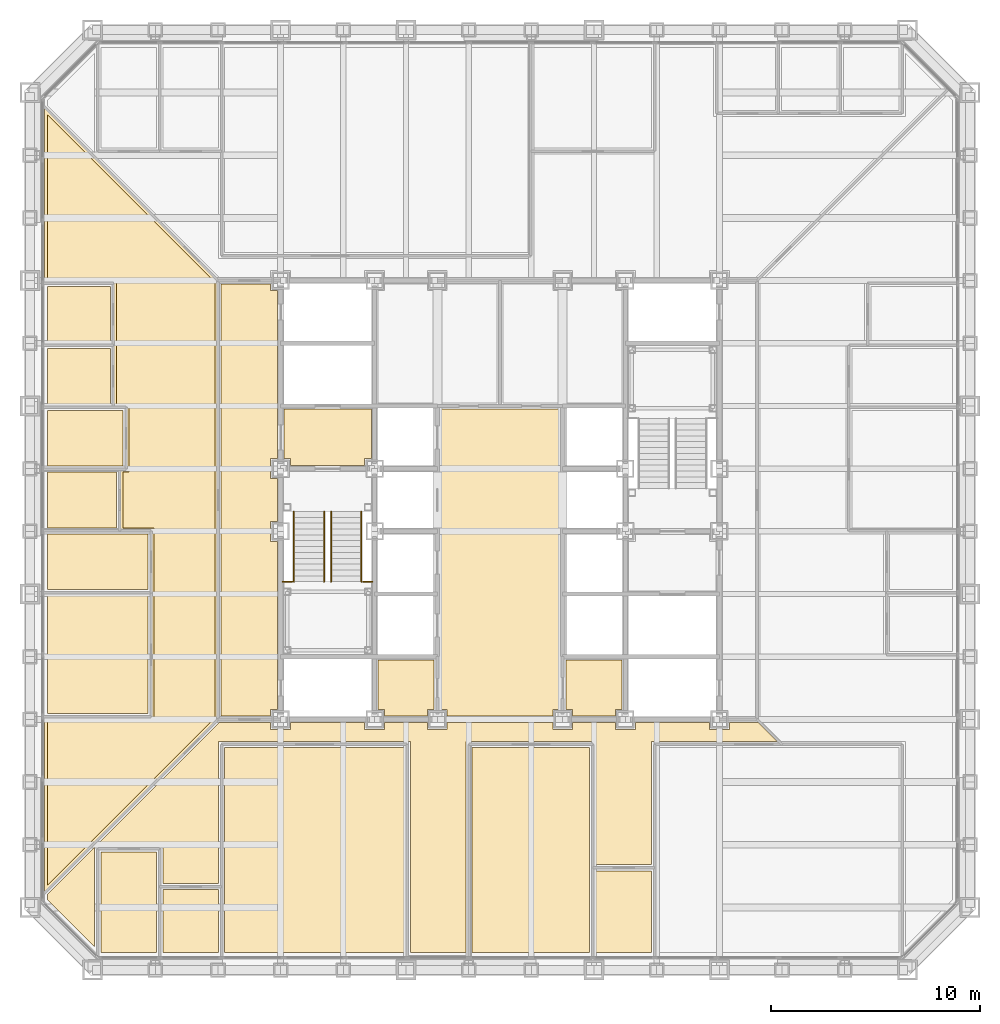
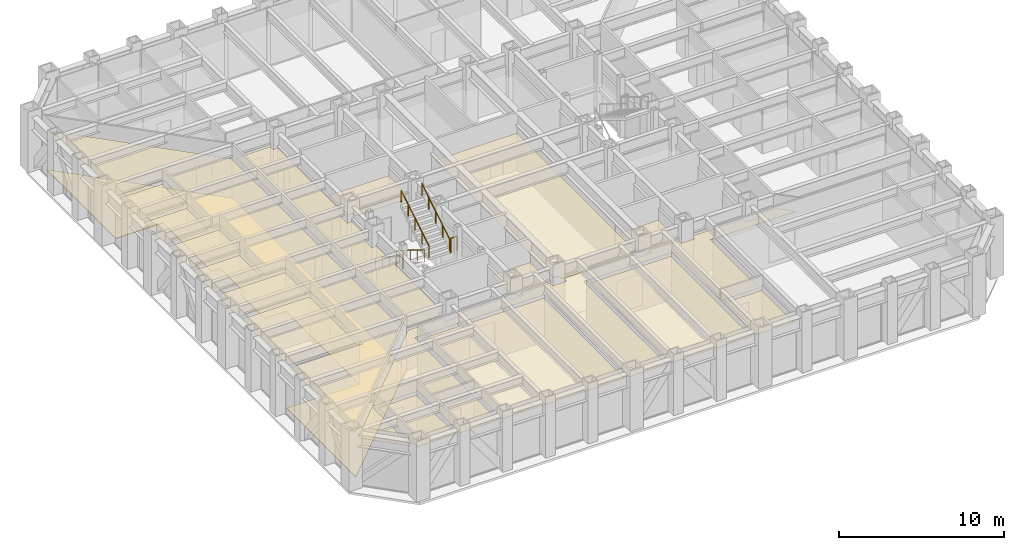
# One storey, part 14 of 17: 20 coverings, 6 railings.
"""IFC4 building model written with IfcOpenShell, lengths in metres."""

import ifcopenshell
import ifcopenshell.guid

model = None  # the IFC model being written
_history = None  # IfcOwnerHistory: only IFC2X3 demands one
_inside = {}  # id of a spatial element -> (the spatial element, [elements in it])
_under = {}  # id of a project, library or spatial element -> (it, [spatial elements below it])
_declared = {}  # id of a project -> (the project, [libraries it declares])
_typed = {}  # id of a type object -> (the type object, [elements of that type])
_made_of = {}  # id of a material, layer set ... -> (it, [elements and type objects made of it])


def new_model(schema):
    """Start an empty IFC model of exactly this schema.

    Asked for "IFC4X3", IfcOpenShell would pick the latest addendum, in which some entities
    have other attributes; the version numbers below select the first issue.
    IFC2X3 requires an IfcOwnerHistory on every rooted entity: one is made here for all.
    """
    global model, _history
    if schema == "IFC4X3":
        model = ifcopenshell.file(schema_version=(4, 3, 0, 0))
    else:
        model = ifcopenshell.file(schema=schema)
    _inside.clear()
    _under.clear()
    _declared.clear()
    _typed.clear()
    _made_of.clear()
    _history = None
    if model.schema == "IFC2X3":
        org = make("IfcOrganization", Name="unknown")
        user = make(
            "IfcPersonAndOrganization",
            ThePerson=make("IfcPerson", FamilyName="unknown"),
            TheOrganization=org,
        )
        app = make(
            "IfcApplication",
            ApplicationDeveloper=org,
            Version="unknown",
            ApplicationFullName="unknown",
            ApplicationIdentifier="unknown",
        )
        _history = make(
            "IfcOwnerHistory",
            OwningUser=user,
            OwningApplication=app,
            ChangeAction="ADDED",
            CreationDate=0,
        )
    return model


def make(cls, **values):
    """One entity of the class cls with the attributes given. An attribute that is None is left unset."""
    return model.create_entity(
        cls, **{name: value for name, value in values.items() if value is not None}
    )


def rooted(cls, **values):
    """An entity with a GlobalId (a new one), such as an element, a storey or a relation."""
    return make(cls, GlobalId=ifcopenshell.guid.new(), OwnerHistory=_history, **values)


def si_unit(unit_type, name, prefix=None):
    """IfcSIUnit, for example si_unit("LENGTHUNIT", "METRE", prefix="MILLI")."""
    return make("IfcSIUnit", UnitType=unit_type, Prefix=prefix, Name=name)


def assignment(units):
    """IfcUnitAssignment: the units of a project."""
    return None if units is None else make("IfcUnitAssignment", Units=units)


def point(xyz):
    """IfcCartesianPoint."""
    return None if xyz is None else make("IfcCartesianPoint", Coordinates=xyz)


def direction(xyz):
    """IfcDirection."""
    return None if xyz is None else make("IfcDirection", DirectionRatios=xyz)


def frame(location, z_axis=None, x_axis=None):
    """IfcAxis2Placement3D, a coordinate frame: its origin and axes. An axis left out is left unset."""
    return make(
        "IfcAxis2Placement3D",
        Location=point(location),
        Axis=direction(z_axis),
        RefDirection=direction(x_axis),
    )


def frame_2d(location, x_axis=None):
    """IfcAxis2Placement2D, a coordinate frame in the plane: its origin and x axis."""
    return make(
        "IfcAxis2Placement2D", Location=point(location), RefDirection=direction(x_axis)
    )


def origin():
    """The frame at (0, 0, 0) with its axes left unset."""
    return frame((0.0, 0.0, 0.0))


def origin_2d():
    """The frame at (0, 0) in the plane with its x axis left unset."""
    return frame_2d((0.0, 0.0))


def place(relative_to, where):
    """IfcLocalPlacement: puts the frame where relative to a parent placement (None: the world)."""
    return make(
        "IfcLocalPlacement", PlacementRelTo=relative_to, RelativePlacement=where
    )


def context(
    kind, dimensions, precision=None, world=None, true_north=None, identifier=None
):
    """IfcGeometricRepresentationContext, for example the 3D "Model" context."""
    return make(
        "IfcGeometricRepresentationContext",
        ContextIdentifier=identifier,
        ContextType=kind,
        CoordinateSpaceDimension=dimensions,
        Precision=precision,
        WorldCoordinateSystem=world,
        TrueNorth=true_north,
    )


def subcontext(parent, identifier, kind, view, scale=None):
    """IfcGeometricRepresentationSubContext, for example "Body" below "Model"."""
    return make(
        "IfcGeometricRepresentationSubContext",
        ContextIdentifier=identifier,
        ContextType=kind,
        ParentContext=parent,
        TargetScale=scale,
        TargetView=view,
    )


def project(units=None, contexts=None):
    """IfcProject with its units and contexts."""
    return rooted(
        "IfcProject",
        Name="project",
        RepresentationContexts=contexts,
        UnitsInContext=assignment(units),
    )


def spatial(cls, under=None, at=None, **own):
    """A site, building, storey or space (cls), placed at a placement, below another one or the project."""
    s = rooted(cls, ObjectPlacement=at, **own)
    if under is not None:
        _under.setdefault(under.id(), (under, []))[1].append(s)
    return s


def polyline(points):
    """IfcPolyline through the points."""
    return make("IfcPolyline", Points=[point(p) for p in points])


def profile(cls, at=None, kind="AREA", **sizes):
    """A parametric profile (cls). Its sizes go by their IFC names, for example OverallWidth=200.0."""
    return make(cls, ProfileType=kind, Position=at, **sizes)


def circle(**sizes):
    """IfcCircleProfileDef."""
    return profile("IfcCircleProfileDef", **sizes)


def outline(outer, holes=None, kind="AREA"):
    """IfcArbitraryClosedProfileDef: a profile drawn as a closed curve; with holes, ...WithVoids."""
    if holes is None:
        return make("IfcArbitraryClosedProfileDef", ProfileType=kind, OuterCurve=outer)
    return make(
        "IfcArbitraryProfileDefWithVoids",
        ProfileType=kind,
        OuterCurve=outer,
        InnerCurves=holes,
    )


def extrude(swept, where, along, depth):
    """IfcExtrudedAreaSolid: the profile swept, set in the frame where, extruded along a direction by depth."""
    return make(
        "IfcExtrudedAreaSolid",
        SweptArea=swept,
        Position=where,
        ExtrudedDirection=direction(along),
        Depth=depth,
    )


def shape(context_of_items, identifier, shape_type, items):
    """IfcShapeRepresentation: the items that make up one representation, for example the "Body"."""
    return make(
        "IfcShapeRepresentation",
        ContextOfItems=context_of_items,
        RepresentationIdentifier=identifier,
        RepresentationType=shape_type,
        Items=items,
    )


def material(Name=None, Category=None):
    """IfcMaterial."""
    return make("IfcMaterial", Name=Name, Category=Category)


def layer(
    of_material, thickness, ventilated=None, Name=None, Category=None, Priority=None
):
    """IfcMaterialLayer: one layer of a wall or slab, of a material (None: an air gap)."""
    return make(
        "IfcMaterialLayer",
        Material=of_material,
        LayerThickness=thickness,
        IsVentilated=ventilated,
        Name=Name,
        Category=Category,
        Priority=Priority,
    )


def layer_set(layers, Name=None):
    """IfcMaterialLayerSet."""
    return make("IfcMaterialLayerSet", MaterialLayers=layers, LayerSetName=Name)


def made_of(thing, what):
    """Note that an element or type object is made of a material, layer set ...; save() writes the relation."""
    if what is not None:
        _made_of.setdefault(what.id(), (what, []))[1].append(thing)
    return thing


def type_object(cls, material=None, **own):
    """A type object (cls), such as IfcWallType, which elements share."""
    return made_of(rooted(cls, **own), material)


def element(
    cls,
    number,
    at=None,
    inside=None,
    cuts=None,
    type_object=None,
    material=None,
    context=None,
    identifier="Body",
    shape_type=None,
    held_by="IfcProductDefinitionShape",
    body=None,
    shapes=None,
    **own,
):
    """One element of the class cls, such as IfcWall. Its Tag is "e" and its number.

    at: its placement. inside: the storey or other place that contains it. cuts: it is an
    opening in that element (IfcRelVoidsElement). A single representation is given by context,
    identifier, shape_type and body (its items); several are given by shapes. held_by: the class
    of the entity that holds the representations. save() writes the other relations.
    """
    e = rooted(cls, Tag="e%d" % number, ObjectPlacement=at, **own)
    if body is not None:
        shapes = [shape(context, identifier, shape_type, body)]
    if shapes is not None:
        e.Representation = make(held_by, Representations=shapes)
    if inside is not None:
        _inside.setdefault(inside.id(), (inside, []))[1].append(e)
    if cuts is not None:
        rooted(
            "IfcRelVoidsElement", RelatingBuildingElement=cuts, RelatedOpeningElement=e
        )
    if type_object is not None:
        _typed.setdefault(type_object.id(), (type_object, []))[1].append(e)
    return made_of(e, material)


def aggregate(whole, parts):
    """IfcRelAggregates: a whole, such as a stair, and the parts it consists of."""
    return rooted("IfcRelAggregates", RelatingObject=whole, RelatedObjects=parts)


def save(model, path):
    """Write the relations noted so far, then the file.

    IfcRelAggregates (storeys below a building ...), IfcRelContainedInSpatialStructure (elements
    in a storey), IfcRelDefinesByType, IfcRelAssociatesMaterial and IfcRelDeclares: one each for
    every whole, place, type object, material and project.
    """
    for whole, parts in _under.values():
        aggregate(whole, parts)
    for where, things in _inside.values():
        rooted(
            "IfcRelContainedInSpatialStructure",
            RelatedElements=things,
            RelatingStructure=where,
        )
    for kind, things in _typed.values():
        rooted("IfcRelDefinesByType", RelatedObjects=things, RelatingType=kind)
    for what, things in _made_of.values():
        rooted("IfcRelAssociatesMaterial", RelatedObjects=things, RelatingMaterial=what)
    for by, libraries in _declared.values():
        rooted("IfcRelDeclares", RelatingContext=by, RelatedDefinitions=libraries)
    model.write(path)


model = new_model("IFC4")

# Units and contexts
model_context = context("Model", 3, precision=1e-05, world=origin(), true_north=direction((0.0, 1.0)))
body_context = subcontext(model_context, "Body", "Model", "MODEL_VIEW")
ifc_project = project(units=[si_unit("LENGTHUNIT", "METRE"), si_unit("AREAUNIT", "SQUARE_METRE"), si_unit("VOLUMEUNIT", "CUBIC_METRE"), si_unit("PLANEANGLEUNIT", "RADIAN"), si_unit("MASSUNIT", "GRAM", prefix="KILO")], contexts=[model_context])

# Site, building, storey
site_placement = place(None, origin())
site = spatial("IfcSite", under=ifc_project, at=site_placement, CompositionType="ELEMENT")
building_placement = place(site_placement, origin())
building = spatial("IfcBuilding", under=site, at=building_placement, Name="Chuquiago Exchange Tower", CompositionType="ELEMENT")
storey_placement = place(building_placement, frame((0.0, 0.0, 69.300048828125)))
storey = spatial("IfcBuildingStorey", under=building, at=storey_placement, Name="L14", CompositionType="ELEMENT", Elevation=69.300048828125)

# Coverings
ifc_material_1 = material(Name="Mineral fibre tile, 600 x 600, on pale metal grid", Category="mineral fibre")
ifc_layer_1 = layer(ifc_material_1, 0.02001953125)
ifc_layer_set_1 = layer_set([ifc_layer_1], Name="CL1 suspended tile ceiling 20")
covering_type_1 = type_object("IfcCoveringType", Name="CL1 suspended tile ceiling 20", PredefinedType="CEILING", material=ifc_layer_set_1)
covering_1_placement = place(storey_placement, frame((0.0, 0.0, 3.0)))
element("IfcCovering", 1, at=covering_1_placement, inside=storey, type_object=covering_type_1, Name="Ceiling Office", PredefinedType="CEILING", context=body_context, shape_type="SweptSolid", body=[
    extrude(outline(polyline([(3.3984375, 5.64990234375), (6.060302734375, 5.64990234375), (6.060302734375, 0.85009765625), (3.3984375, 0.85009765625), (3.3984375, 5.64990234375)])), origin(), (0.0, 0.0, 1.0), 0.02001953125),
])
covering_2_placement = place(storey_placement, frame((0.0, 0.0, 3.0)))
element("IfcCovering", 2, at=covering_2_placement, inside=storey, type_object=covering_type_1, Name="Ceiling Focus room", PredefinedType="CEILING", context=body_context, shape_type="SweptSolid", body=[
    extrude(outline(polyline([(6.3603515625, 3.85009765625), (9.022216796875, 3.85009765625), (9.022216796875, 0.85009765625), (6.3603515625, 0.85009765625), (6.3603515625, 3.85009765625)])), origin(), (0.0, 0.0, 1.0), 0.02001953125),
])
covering_3_placement = place(storey_placement, frame((0.0, 0.0, 3.0)))
element("IfcCovering", 3, at=covering_3_placement, inside=storey, type_object=covering_type_1, Name="Ceiling Trading room", PredefinedType="CEILING", context=body_context, shape_type="SweptSolid", body=[
    extrude(outline(polyline([(9.322021484375, 10.64990234375), (17.907470703125, 10.64990234375), (17.907470703125, 0.85009765625), (9.322021484375, 0.85009765625), (9.322021484375, 10.64990234375)])), origin(), (0.0, 0.0, 1.0), 0.02001953125),
])
covering_4_placement = place(storey_placement, frame((0.0, 0.0, 3.0)))
element("IfcCovering", 4, at=covering_4_placement, inside=storey, type_object=covering_type_1, Name="Ceiling Trading room", PredefinedType="CEILING", context=body_context, shape_type="SweptSolid", body=[
    extrude(outline(polyline([(21.169189453125, 10.64990234375), (26.79248046875, 10.64990234375), (26.79248046875, 0.85009765625), (21.169189453125, 0.85009765625), (21.169189453125, 10.64990234375)])), origin(), (0.0, 0.0, 1.0), 0.02001953125),
])
covering_5_placement = place(storey_placement, frame((0.0, 0.0, 3.0)))
element("IfcCovering", 5, at=covering_5_placement, inside=storey, type_object=covering_type_1, Name="Ceiling Comms room", PredefinedType="CEILING", context=body_context, shape_type="SweptSolid", body=[
    extrude(outline(polyline([(27.092529296875, 4.75), (29.75439453125, 4.75), (29.75439453125, 0.85009765625), (27.092529296875, 0.85009765625), (27.092529296875, 4.75)])), origin(), (0.0, 0.0, 1.0), 0.02001953125),
])
covering_6_placement = place(storey_placement, frame((0.0, 0.0, 3.0)))
element("IfcCovering", 6, at=covering_6_placement, inside=storey, type_object=covering_type_1, Name="Ceiling Meeting room", PredefinedType="CEILING", context=body_context, shape_type="SweptSolid", body=[
    extrude(outline(polyline([(5.64990234375, 17.907470703125), (5.64990234375, 12.28369140625), (0.85009765625, 12.28369140625), (0.85009765625, 17.907470703125), (5.64990234375, 17.907470703125)])), origin(), (0.0, 0.0, 1.0), 0.02001953125),
])
covering_7_placement = place(storey_placement, frame((0.0, 0.0, 3.0)))
element("IfcCovering", 7, at=covering_7_placement, inside=storey, type_object=covering_type_1, Name="Ceiling Office", PredefinedType="CEILING", context=body_context, shape_type="SweptSolid", body=[
    extrude(outline(polyline([(5.64990234375, 20.869140625), (5.64990234375, 18.20751953125), (0.85009765625, 18.20751953125), (0.85009765625, 20.869140625), (5.64990234375, 20.869140625)])), origin(), (0.0, 0.0, 1.0), 0.02001953125),
])
covering_8_placement = place(storey_placement, frame((0.0, 0.0, 3.0)))
element("IfcCovering", 8, at=covering_8_placement, inside=storey, type_object=covering_type_1, Name="Ceiling Store", PredefinedType="CEILING", context=body_context, shape_type="SweptSolid", body=[
    extrude(outline(polyline([(4.14990234375, 23.830810546875), (4.14990234375, 21.169189453125), (0.85009765625, 21.169189453125), (0.85009765625, 23.830810546875), (4.14990234375, 23.830810546875)])), origin(), (0.0, 0.0, 1.0), 0.02001953125),
])
covering_9_placement = place(storey_placement, frame((0.0, 0.0, 3.0)))
element("IfcCovering", 9, at=covering_9_placement, inside=storey, type_object=covering_type_1, Name="Ceiling Pantry", PredefinedType="CEILING", context=body_context, shape_type="SweptSolid", body=[
    extrude(outline(polyline([(4.449951171875, 26.79248046875), (4.449951171875, 24.130859375), (0.85009765625, 24.130859375), (0.85009765625, 26.79248046875), (4.449951171875, 26.79248046875)])), origin(), (0.0, 0.0, 1.0), 0.02001953125),
])
covering_10_placement = place(storey_placement, frame((0.0, 0.0, 3.0)))
element("IfcCovering", 10, at=covering_10_placement, inside=storey, type_object=covering_type_1, Name="Ceiling Focus room", PredefinedType="CEILING", context=body_context, shape_type="SweptSolid", body=[
    extrude(outline(polyline([(3.85009765625, 29.75439453125), (3.85009765625, 27.092529296875), (0.85009765625, 27.092529296875), (0.85009765625, 29.75439453125), (3.85009765625, 29.75439453125)])), origin(), (0.0, 0.0, 1.0), 0.02001953125),
])
covering_11_placement = place(storey_placement, frame((0.0, 0.0, 3.0)))
element("IfcCovering", 11, at=covering_11_placement, inside=storey, type_object=covering_type_1, Name="Ceiling Focus room", PredefinedType="CEILING", context=body_context, shape_type="SweptSolid", body=[
    extrude(outline(polyline([(3.85009765625, 32.71630859375), (3.85009765625, 30.054443359375), (0.85009765625, 30.054443359375), (0.85009765625, 32.71630859375), (3.85009765625, 32.71630859375)])), origin(), (0.0, 0.0, 1.0), 0.02001953125),
])
covering_12_placement = place(storey_placement, frame((0.0, 0.0, 3.0)))
element("IfcCovering", 12, at=covering_12_placement, inside=storey, type_object=covering_type_1, Name="Ceiling Circulation corridor", PredefinedType="CEILING", context=body_context, shape_type="SweptSolid", body=[
    extrude(outline(polyline([(9.14990234375, 12.14990234375), (9.14990234375, 32.85009765625), (11.52490234375, 32.85009765625), (11.52490234375, 32.52490234375), (11.85009765625, 32.52490234375), (11.85009765625, 24.47509765625), (11.52490234375, 24.47509765625), (11.52490234375, 23.52490234375), (11.85009765625, 23.52490234375), (11.85009765625, 21.47509765625), (11.52490234375, 21.47509765625), (11.52490234375, 20.52490234375), (11.85009765625, 20.52490234375), (11.85009765625, 12.47509765625), (11.52490234375, 12.47509765625), (11.52490234375, 12.14990234375), (9.14990234375, 12.14990234375)])), origin(), (0.0, 0.0, 1.0), 0.02001953125),
])
covering_13_placement = place(storey_placement, frame((0.0, 0.0, 3.0)))
element("IfcCovering", 13, at=covering_13_placement, inside=storey, type_object=covering_type_1, Name="Ceiling Trading floor east", PredefinedType="CEILING", context=body_context, shape_type="SweptSolid", body=[
    extrude(outline(polyline([(9.0625, 11.85009765625), (11.52490234375, 11.85009765625), (11.52490234375, 11.52490234375), (12.47509765625, 11.52490234375), (12.47509765625, 11.85009765625), (16.02490234375, 11.85009765625), (16.02490234375, 11.52490234375), (16.97509765625, 11.52490234375), (16.97509765625, 11.85009765625), (19.02490234375, 11.85009765625), (19.02490234375, 11.52490234375), (19.97509765625, 11.52490234375), (19.97509765625, 11.85009765625), (25.02490234375, 11.85009765625), (25.02490234375, 11.52490234375), (25.97509765625, 11.52490234375), (25.97509765625, 11.85009765625), (28.02490234375, 11.85009765625), (28.02490234375, 11.52490234375), (28.97509765625, 11.52490234375), (28.97509765625, 11.85009765625), (32.52490234375, 11.85009765625), (32.52490234375, 11.52490234375), (33.47509765625, 11.52490234375), (33.47509765625, 11.85009765625), (34.85107421875, 11.85009765625), (35.7509765625, 10.949951171875), (29.75439453125, 10.949951171875), (29.75439453125, 5.050048828125), (27.092529296875, 5.050048828125), (27.092529296875, 10.949951171875), (20.869140625, 10.949951171875), (20.869140625, 0.85009765625), (18.20751953125, 0.85009765625), (18.20751953125, 10.949951171875), (9.022216796875, 10.949951171875), (9.022216796875, 4.14990234375), (6.3603515625, 4.14990234375), (6.3603515625, 5.949951171875), (3.162841796875, 5.949951171875), (9.0625, 11.85009765625)])), origin(), (0.0, 0.0, 1.0), 0.02001953125),
])
covering_14_placement = place(storey_placement, frame((0.0, 0.0, 3.0)))
element("IfcCovering", 14, at=covering_14_placement, inside=storey, type_object=covering_type_1, Name="Ceiling Trading floor east", PredefinedType="CEILING", context=body_context, shape_type="SweptSolid", body=[
    extrude(outline(polyline([(3.098388671875, 1.103515625), (0.85009765625, 3.35205078125), (0.85009765625, 3.63720703125), (3.098388671875, 5.8857421875), (3.098388671875, 1.103515625)])), origin(), (0.0, 0.0, 1.0), 0.02001953125),
])
covering_15_placement = place(storey_placement, frame((0.0, 0.0, 3.0)))
element("IfcCovering", 15, at=covering_15_placement, inside=storey, type_object=covering_type_1, Name="Ceiling Trading floor west", PredefinedType="CEILING", context=body_context, shape_type="SweptSolid", body=[
    extrude(outline(polyline([(5.949951171875, 21.169189453125), (4.449951171875, 21.169189453125), (4.449951171875, 23.830810546875), (4.75, 23.830810546875), (4.75, 27.092529296875), (4.14990234375, 27.092529296875), (4.14990234375, 33.01611328125), (0.85009765625, 33.01611328125), (0.85009765625, 40.937255859375), (8.85009765625, 32.9375), (8.85009765625, 12.0625), (0.85009765625, 4.062744140625), (0.85009765625, 11.98388671875), (5.949951171875, 11.98388671875), (5.949951171875, 21.169189453125)])), origin(), (0.0, 0.0, 1.0), 0.02001953125),
])
ifc_material_2 = material(Name="Moisture resistant plasterboard on metal frame", Category="gypsum")
ifc_layer_2 = layer(ifc_material_2, 0.014892578125)
ifc_layer_set_2 = layer_set([ifc_layer_2], Name="CL2 moisture resistant ceiling 15")
covering_type_2 = type_object("IfcCoveringType", Name="CL2 moisture resistant ceiling 15", PredefinedType="CEILING", material=ifc_layer_set_2)
covering_16_placement = place(storey_placement, frame((0.0, 0.0, 2.599853515625)))
element("IfcCovering", 16, at=covering_16_placement, inside=storey, type_object=covering_type_2, Name="Ceiling Accessible WC", PredefinedType="CEILING", context=body_context, shape_type="SweptSolid", body=[
    extrude(outline(polyline([(25.97509765625, 12.14990234375), (25.97509765625, 12.47509765625), (25.64990234375, 12.47509765625), (25.64990234375, 14.85009765625), (28.35009765625, 14.85009765625), (28.35009765625, 12.47509765625), (28.02490234375, 12.47509765625), (28.02490234375, 12.14990234375), (25.97509765625, 12.14990234375)])), origin(), (0.0, 0.0, 1.0), 0.01513671875),
])
covering_17_placement = place(storey_placement, frame((0.0, 0.0, 2.599853515625)))
element("IfcCovering", 17, at=covering_17_placement, inside=storey, type_object=covering_type_2, Name="Ceiling Cleaner", PredefinedType="CEILING", context=body_context, shape_type="SweptSolid", body=[
    extrude(outline(polyline([(16.97509765625, 12.14990234375), (16.97509765625, 12.47509765625), (16.64990234375, 12.47509765625), (16.64990234375, 14.85009765625), (19.35009765625, 14.85009765625), (19.35009765625, 12.47509765625), (19.02490234375, 12.47509765625), (19.02490234375, 12.14990234375), (16.97509765625, 12.14990234375)])), origin(), (0.0, 0.0, 1.0), 0.01513671875),
])
ifc_material_3 = material(Name="Pale metal plank ceiling, perforated", Category="aluminium")
ifc_layer_3 = layer(ifc_material_3, 0.030029296875)
ifc_layer_set_3 = layer_set([ifc_layer_3], Name="CL3 metal plank ceiling 30")
covering_type_3 = type_object("IfcCoveringType", Name="CL3 metal plank ceiling 30", PredefinedType="CEILING", material=ifc_layer_set_3)
covering_18_placement = place(storey_placement, frame((0.0, 0.0, 2.800048828125)))
element("IfcCovering", 18, at=covering_18_placement, inside=storey, type_object=covering_type_3, Name="Ceiling Lift lobby", PredefinedType="CEILING", context=body_context, shape_type="SweptSolid", body=[
    extrude(outline(polyline([(19.97509765625, 12.14990234375), (19.97509765625, 12.47509765625), (19.64990234375, 12.47509765625), (19.64990234375, 26.85009765625), (25.35009765625, 26.85009765625), (25.35009765625, 12.47509765625), (25.02490234375, 12.47509765625), (25.02490234375, 12.14990234375), (19.97509765625, 12.14990234375)])), origin(), (0.0, 0.0, 1.0), 0.02978515625),
])
covering_19_placement = place(storey_placement, frame((0.0, 0.0, 2.800048828125)))
element("IfcCovering", 19, at=covering_19_placement, inside=storey, type_object=covering_type_3, Name="Ceiling Firefighting lobby", PredefinedType="CEILING", context=body_context, shape_type="SweptSolid", body=[
    extrude(outline(polyline([(12.47509765625, 24.14990234375), (12.47509765625, 24.47509765625), (12.14990234375, 24.47509765625), (12.14990234375, 26.85009765625), (16.35009765625, 26.85009765625), (16.35009765625, 24.47509765625), (16.02490234375, 24.47509765625), (16.02490234375, 24.14990234375), (12.47509765625, 24.14990234375)])), origin(), (0.0, 0.0, 1.0), 0.02978515625),
])

# Railings
ifc_material_4 = material(Name="Pale metal guard with safety glass infill", Category="glass")
railing_type_1 = type_object("IfcRailingType", Name="GR1 guard 1100", PredefinedType="GUARDRAIL", material=ifc_material_4)
for number, where, name in (
    (20, (12.10009765625, 18.590087890625, 2.25), "Guard ST1 L14 landing 2"),
    (21, (15.945068359375, 18.590087890625, 2.25), "Guard ST1 L14 landing 2"),
):
    element("IfcRailing", number, at=place(storey_placement, frame(where)), inside=storey, type_object=railing_type_1, Name=name, PredefinedType="GUARDRAIL", context=body_context, shape_type="SweptSolid", body=[
        extrude(circle(Radius=0.02392578125, at=origin_2d()), frame((0.0, 0.0, 1.076171875), z_axis=(1.0, 0.0, 0.0), x_axis=(0.0, 1.0, 0.0)), (0.0, 0.0, 1.0), 0.454833984375),
        extrude(circle(Radius=0.02099609375, at=origin_2d()), origin(), (0.0, 0.0, 1.0), 1.052001953125),
        extrude(circle(Radius=0.02099609375, at=origin_2d()), frame((0.454833984375, 0.0, 0.0)), (0.0, 0.0, 1.0), 1.052001953125),
    ])
ifc_material_5 = material(Name="Pale metal handrail", Category="steel")
railing_type_2 = type_object("IfcRailingType", Name="HR1 handrail 900", PredefinedType="HANDRAIL", material=ifc_material_5)
for number, where, name in (
    (22, (12.635009765625, 21.949951171875, 0.173095703125), "Handrail ST1 L14 flight 1"),
    (23, (14.0849609375, 21.949951171875, 0.173095703125), "Handrail ST1 L14 flight 1"),
):
    element("IfcRailing", number, at=place(storey_placement, frame(where)), inside=storey, type_object=railing_type_2, Name=name, PredefinedType="HANDRAIL", context=body_context, shape_type="SweptSolid", body=[
        extrude(circle(Radius=0.02392578125, at=origin_2d()), frame((0.0, 0.0, 0.8759765625), z_axis=(0.0, -0.850606129759, 0.525803396734), x_axis=(1.0, 0.0, 0.0)), (0.0, 0.0, 1.0), 3.949951171875),
        extrude(circle(Radius=0.02099609375, at=origin_2d()), origin(), (0.0, 0.0, 1.0), 0.851806640625),
        extrude(circle(Radius=0.02099609375, at=origin_2d()), frame((0.0, -0.83984375, 0.519287109375)), (0.0, 0.0, 1.0), 0.851806640625),
        extrude(circle(Radius=0.02099609375, at=origin_2d()), frame((0.0, -1.679931640625, 1.03857421875)), (0.0, 0.0, 1.0), 0.851806640625),
        extrude(circle(Radius=0.02099609375, at=origin_2d()), frame((0.0, -2.52001953125, 1.5576171875)), (0.0, 0.0, 1.0), 0.851806640625),
        extrude(circle(Radius=0.02099609375, at=origin_2d()), frame((0.0, -3.35986328125, 2.076904296875)), (0.0, 0.0, 1.0), 0.851806640625),
    ])
for number, where, name in (
    (24, (15.864990234375, 18.590087890625, 2.423095703125), "Handrail ST1 L14 flight 2"),
    (25, (14.4150390625, 18.590087890625, 2.423095703125), "Handrail ST1 L14 flight 2"),
):
    element("IfcRailing", number, at=place(storey_placement, frame(where)), inside=storey, type_object=railing_type_2, Name=name, PredefinedType="HANDRAIL", context=body_context, shape_type="SweptSolid", body=[
        extrude(circle(Radius=0.02392578125, at=origin_2d()), frame((0.0, 0.0, 0.8759765625), z_axis=(0.0, 0.850606129759, 0.525803396734), x_axis=(-1.0, 0.0, 0.0)), (0.0, 0.0, 1.0), 3.949951171875),
        extrude(circle(Radius=0.02099609375, at=origin_2d()), origin(), (0.0, 0.0, 1.0), 0.851806640625),
        extrude(circle(Radius=0.02099609375, at=origin_2d()), frame((0.0, 0.83984375, 0.519287109375)), (0.0, 0.0, 1.0), 0.851806640625),
        extrude(circle(Radius=0.02099609375, at=origin_2d()), frame((0.0, 1.679931640625, 1.03857421875)), (0.0, 0.0, 1.0), 0.851806640625),
        extrude(circle(Radius=0.02099609375, at=origin_2d()), frame((0.0, 2.52001953125, 1.5576171875)), (0.0, 0.0, 1.0), 0.851806640625),
        extrude(circle(Radius=0.02099609375, at=origin_2d()), frame((0.0, 3.35986328125, 2.076904296875)), (0.0, 0.0, 1.0), 0.851806640625),
    ])

# Covering
ifc_material_6 = material(Name="Steel raised floor panel", Category="steel")
ifc_layer_4 = layer(ifc_material_6, 0.0400390625)
ifc_layer_set_4 = layer_set([ifc_layer_4], Name="RF1 raised access floor 40")
covering_type_4 = type_object("IfcCoveringType", Name="RF1 raised access floor 40", PredefinedType="FLOORING", material=ifc_layer_set_4)
covering_20_placement = place(storey_placement, frame((0.0, 0.0, -0.0400390625)))
element("IfcCovering", 26, at=covering_20_placement, inside=storey, type_object=covering_type_4, Name="Raised access floor Trading floor west", PredefinedType="FLOORING", context=body_context, shape_type="SweptSolid", body=[
    extrude(outline(polyline([(5.800048828125, 12.1337890625), (5.800048828125, 21.01904296875), (4.300048828125, 21.01904296875), (4.300048828125, 23.98095703125), (4.60009765625, 23.98095703125), (4.60009765625, 26.942626953125), (4.0, 26.942626953125), (4.0, 32.8662109375), (0.699951171875, 32.8662109375), (0.699951171875, 41.29931640625), (9.0, 32.99951171875), (9.0, 12.00048828125), (0.699951171875, 3.70068359375), (0.699951171875, 12.1337890625), (5.800048828125, 12.1337890625)])), origin(), (0.0, 0.0, 1.0), 0.0400390625),
])

save(model, "model.ifc")
